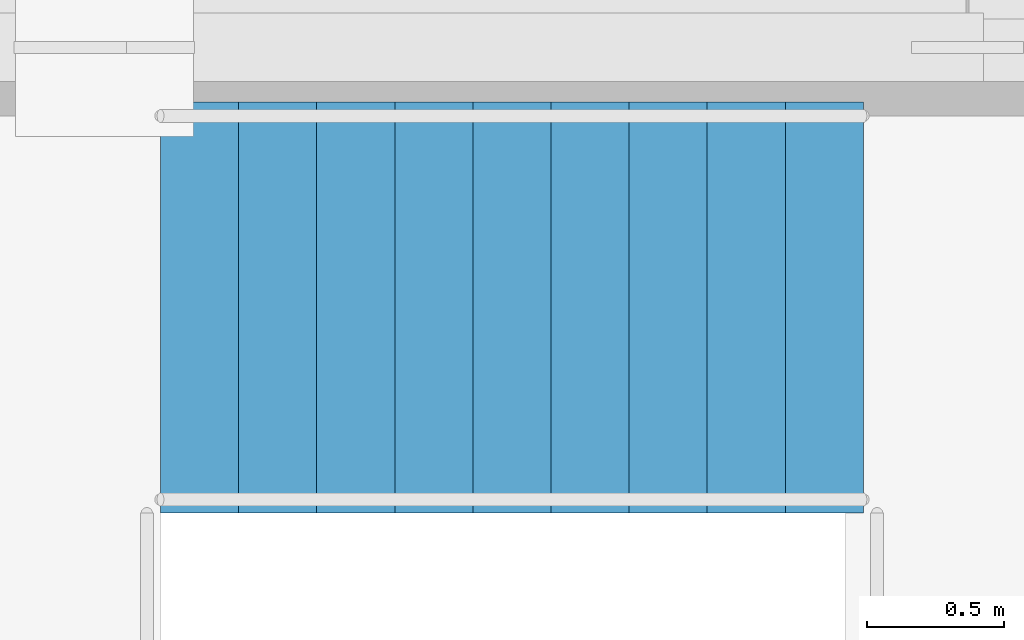
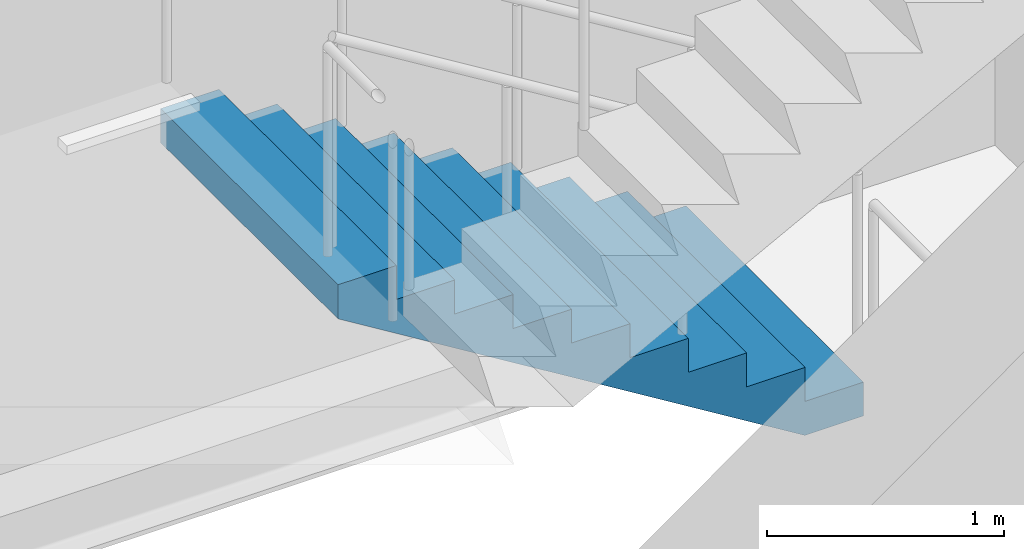
# One storey, part 22 of 23: 1 stair flight, 1 element without a shape of its own.
"""IFC4 building model written with IfcOpenShell, lengths in metres."""

import ifcopenshell
import ifcopenshell.guid

model = None  # the IFC model being written
_history = None  # IfcOwnerHistory: only IFC2X3 demands one
_inside = {}  # id of a spatial element -> (the spatial element, [elements in it])
_under = {}  # id of a project, library or spatial element -> (it, [spatial elements below it])
_declared = {}  # id of a project -> (the project, [libraries it declares])
_typed = {}  # id of a type object -> (the type object, [elements of that type])
_made_of = {}  # id of a material, layer set ... -> (it, [elements and type objects made of it])


def new_model(schema):
    """Start an empty IFC model of exactly this schema.

    Asked for "IFC4X3", IfcOpenShell would pick the latest addendum, in which some entities
    have other attributes; the version numbers below select the first issue.
    IFC2X3 requires an IfcOwnerHistory on every rooted entity: one is made here for all.
    """
    global model, _history
    if schema == "IFC4X3":
        model = ifcopenshell.file(schema_version=(4, 3, 0, 0))
    else:
        model = ifcopenshell.file(schema=schema)
    _inside.clear()
    _under.clear()
    _declared.clear()
    _typed.clear()
    _made_of.clear()
    _history = None
    if model.schema == "IFC2X3":
        org = make("IfcOrganization", Name="unknown")
        user = make(
            "IfcPersonAndOrganization",
            ThePerson=make("IfcPerson", FamilyName="unknown"),
            TheOrganization=org,
        )
        app = make(
            "IfcApplication",
            ApplicationDeveloper=org,
            Version="unknown",
            ApplicationFullName="unknown",
            ApplicationIdentifier="unknown",
        )
        _history = make(
            "IfcOwnerHistory",
            OwningUser=user,
            OwningApplication=app,
            ChangeAction="ADDED",
            CreationDate=0,
        )
    return model


def make(cls, **values):
    """One entity of the class cls with the attributes given. An attribute that is None is left unset."""
    return model.create_entity(
        cls, **{name: value for name, value in values.items() if value is not None}
    )


def rooted(cls, **values):
    """An entity with a GlobalId (a new one), such as an element, a storey or a relation."""
    return make(cls, GlobalId=ifcopenshell.guid.new(), OwnerHistory=_history, **values)


def si_unit(unit_type, name, prefix=None):
    """IfcSIUnit, for example si_unit("LENGTHUNIT", "METRE", prefix="MILLI")."""
    return make("IfcSIUnit", UnitType=unit_type, Prefix=prefix, Name=name)


def assignment(units):
    """IfcUnitAssignment: the units of a project."""
    return None if units is None else make("IfcUnitAssignment", Units=units)


def point(xyz):
    """IfcCartesianPoint."""
    return None if xyz is None else make("IfcCartesianPoint", Coordinates=xyz)


def direction(xyz):
    """IfcDirection."""
    return None if xyz is None else make("IfcDirection", DirectionRatios=xyz)


def frame(location, z_axis=None, x_axis=None):
    """IfcAxis2Placement3D, a coordinate frame: its origin and axes. An axis left out is left unset."""
    return make(
        "IfcAxis2Placement3D",
        Location=point(location),
        Axis=direction(z_axis),
        RefDirection=direction(x_axis),
    )


def origin():
    """The frame at (0, 0, 0) with its axes left unset."""
    return frame((0.0, 0.0, 0.0))


def place(relative_to, where):
    """IfcLocalPlacement: puts the frame where relative to a parent placement (None: the world)."""
    return make(
        "IfcLocalPlacement", PlacementRelTo=relative_to, RelativePlacement=where
    )


def context(
    kind, dimensions, precision=None, world=None, true_north=None, identifier=None
):
    """IfcGeometricRepresentationContext, for example the 3D "Model" context."""
    return make(
        "IfcGeometricRepresentationContext",
        ContextIdentifier=identifier,
        ContextType=kind,
        CoordinateSpaceDimension=dimensions,
        Precision=precision,
        WorldCoordinateSystem=world,
        TrueNorth=true_north,
    )


def subcontext(parent, identifier, kind, view, scale=None):
    """IfcGeometricRepresentationSubContext, for example "Body" below "Model"."""
    return make(
        "IfcGeometricRepresentationSubContext",
        ContextIdentifier=identifier,
        ContextType=kind,
        ParentContext=parent,
        TargetScale=scale,
        TargetView=view,
    )


def project(units=None, contexts=None):
    """IfcProject with its units and contexts."""
    return rooted(
        "IfcProject",
        Name="project",
        RepresentationContexts=contexts,
        UnitsInContext=assignment(units),
    )


def spatial(cls, under=None, at=None, **own):
    """A site, building, storey or space (cls), placed at a placement, below another one or the project."""
    s = rooted(cls, ObjectPlacement=at, **own)
    if under is not None:
        _under.setdefault(under.id(), (under, []))[1].append(s)
    return s


def polyline(points):
    """IfcPolyline through the points."""
    return make("IfcPolyline", Points=[point(p) for p in points])


def outline(outer, holes=None, kind="AREA"):
    """IfcArbitraryClosedProfileDef: a profile drawn as a closed curve; with holes, ...WithVoids."""
    if holes is None:
        return make("IfcArbitraryClosedProfileDef", ProfileType=kind, OuterCurve=outer)
    return make(
        "IfcArbitraryProfileDefWithVoids",
        ProfileType=kind,
        OuterCurve=outer,
        InnerCurves=holes,
    )


def extrude(swept, where, along, depth):
    """IfcExtrudedAreaSolid: the profile swept, set in the frame where, extruded along a direction by depth."""
    return make(
        "IfcExtrudedAreaSolid",
        SweptArea=swept,
        Position=where,
        ExtrudedDirection=direction(along),
        Depth=depth,
    )


def shape(context_of_items, identifier, shape_type, items):
    """IfcShapeRepresentation: the items that make up one representation, for example the "Body"."""
    return make(
        "IfcShapeRepresentation",
        ContextOfItems=context_of_items,
        RepresentationIdentifier=identifier,
        RepresentationType=shape_type,
        Items=items,
    )


def material(Name=None, Category=None):
    """IfcMaterial."""
    return make("IfcMaterial", Name=Name, Category=Category)


def made_of(thing, what):
    """Note that an element or type object is made of a material, layer set ...; save() writes the relation."""
    if what is not None:
        _made_of.setdefault(what.id(), (what, []))[1].append(thing)
    return thing


def type_object(cls, material=None, **own):
    """A type object (cls), such as IfcWallType, which elements share."""
    return made_of(rooted(cls, **own), material)


def element(
    cls,
    number,
    at=None,
    inside=None,
    cuts=None,
    type_object=None,
    material=None,
    context=None,
    identifier="Body",
    shape_type=None,
    held_by="IfcProductDefinitionShape",
    body=None,
    shapes=None,
    **own,
):
    """One element of the class cls, such as IfcWall. Its Tag is "e" and its number.

    at: its placement. inside: the storey or other place that contains it. cuts: it is an
    opening in that element (IfcRelVoidsElement). A single representation is given by context,
    identifier, shape_type and body (its items); several are given by shapes. held_by: the class
    of the entity that holds the representations. save() writes the other relations.
    """
    e = rooted(cls, Tag="e%d" % number, ObjectPlacement=at, **own)
    if body is not None:
        shapes = [shape(context, identifier, shape_type, body)]
    if shapes is not None:
        e.Representation = make(held_by, Representations=shapes)
    if inside is not None:
        _inside.setdefault(inside.id(), (inside, []))[1].append(e)
    if cuts is not None:
        rooted(
            "IfcRelVoidsElement", RelatingBuildingElement=cuts, RelatedOpeningElement=e
        )
    if type_object is not None:
        _typed.setdefault(type_object.id(), (type_object, []))[1].append(e)
    return made_of(e, material)


def aggregate(whole, parts):
    """IfcRelAggregates: a whole, such as a stair, and the parts it consists of."""
    return rooted("IfcRelAggregates", RelatingObject=whole, RelatedObjects=parts)


def save(model, path):
    """Write the relations noted so far, then the file.

    IfcRelAggregates (storeys below a building ...), IfcRelContainedInSpatialStructure (elements
    in a storey), IfcRelDefinesByType, IfcRelAssociatesMaterial and IfcRelDeclares: one each for
    every whole, place, type object, material and project.
    """
    for whole, parts in _under.values():
        aggregate(whole, parts)
    for where, things in _inside.values():
        rooted(
            "IfcRelContainedInSpatialStructure",
            RelatedElements=things,
            RelatingStructure=where,
        )
    for kind, things in _typed.values():
        rooted("IfcRelDefinesByType", RelatedObjects=things, RelatingType=kind)
    for what, things in _made_of.values():
        rooted("IfcRelAssociatesMaterial", RelatedObjects=things, RelatingMaterial=what)
    for by, libraries in _declared.values():
        rooted("IfcRelDeclares", RelatingContext=by, RelatedDefinitions=libraries)
    model.write(path)


model = new_model("IFC4")

# Units and contexts
model_context = context("Model", 3, precision=1e-05, world=origin(), true_north=direction((0.0, 1.0)))
body_context = subcontext(model_context, "Body", "Model", "MODEL_VIEW")
ifc_project = project(units=[si_unit("LENGTHUNIT", "METRE"), si_unit("AREAUNIT", "SQUARE_METRE"), si_unit("VOLUMEUNIT", "CUBIC_METRE"), si_unit("PLANEANGLEUNIT", "RADIAN"), si_unit("MASSUNIT", "GRAM", prefix="KILO")], contexts=[model_context])

# Site, building, storey
site_placement = place(None, origin())
site = spatial("IfcSite", under=ifc_project, at=site_placement, CompositionType="ELEMENT")
building_placement = place(site_placement, origin())
building = spatial("IfcBuilding", under=site, at=building_placement, Name="Cobrela Telecom Tower", CompositionType="ELEMENT")
storey_placement = place(building_placement, frame((0.0, 0.0, 262.14990234375)))
storey = spatial("IfcBuildingStorey", under=building, at=storey_placement, Name="L68", CompositionType="ELEMENT", Elevation=262.14990234375)

# Stair, stair flight
ifc_material = material(Name="Concrete C40/50", Category="concrete")
stair_type = type_object("IfcStairType", Name="STAIR-CORE", PredefinedType="HALF_TURN_STAIR", material=ifc_material)
stair_placement = place(storey_placement, origin())
stair = element("IfcStair", 1, at=stair_placement, inside=storey, type_object=stair_type, Name="L68 Smokeproof Exit Stair ST1", PredefinedType="HALF_TURN_STAIR")
stair_flight_type = type_object("IfcStairFlightType", Name="FLIGHT-CORE", PredefinedType="STRAIGHT", material=ifc_material)
stair_flight_placement = place(storey_placement, frame((6.820068359375, 34.800048828125, 0.0), z_axis=(0.0, 0.0, 1.0), x_axis=(-1.0, 0.0, 0.0)))
stair_flight = element("IfcStairFlight", 2, at=stair_flight_placement, type_object=stair_flight_type, Name="ST1 flight 1", NumberOfRisers=10, NumberOfTreads=9, PredefinedType="STRAIGHT", RiserHeight=0.175, TreadLength=0.285, context=body_context, shape_type="SweptSolid", body=[
    extrude(outline(polyline([(0.0, 0.0), (0.0, 0.175048828125), (0.284912109375, 0.175048828125), (0.284912109375, 0.35009765625), (0.570068359375, 0.35009765625), (0.570068359375, 0.52490234375), (0.85498046875, 0.52490234375), (0.85498046875, 0.699951171875), (1.139892578125, 0.699951171875), (1.139892578125, 0.875), (1.425048828125, 0.875), (1.425048828125, 1.050048828125), (1.7099609375, 1.050048828125), (1.7099609375, 1.22509765625), (1.9951171875, 1.22509765625), (1.9951171875, 1.39990234375), (2.280029296875, 1.39990234375), (2.280029296875, 1.574951171875), (2.56494140625, 1.574951171875), (2.56494140625, 1.75), (2.56494140625, 1.399169921875), (0.286376953125, 0.0), (0.0, 0.0)])), frame((0.0, 0.75, 0.0), z_axis=(0.0, -1.0, 0.0), x_axis=(1.0, 0.0, 0.0)), (0.0, 0.0, 1.0), 1.5),
])
aggregate(stair, [stair_flight])

save(model, "model.ifc")
